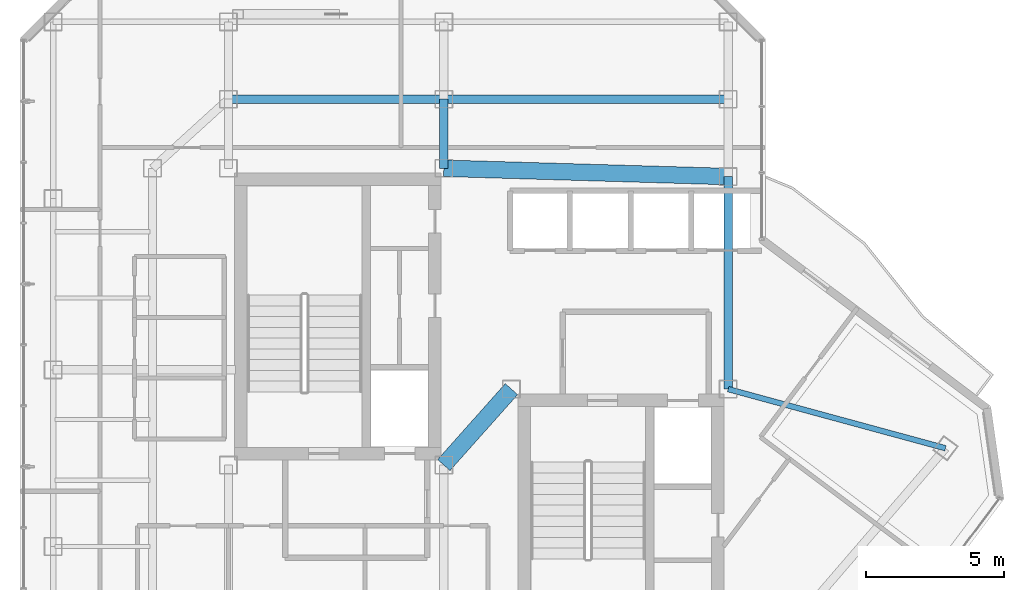
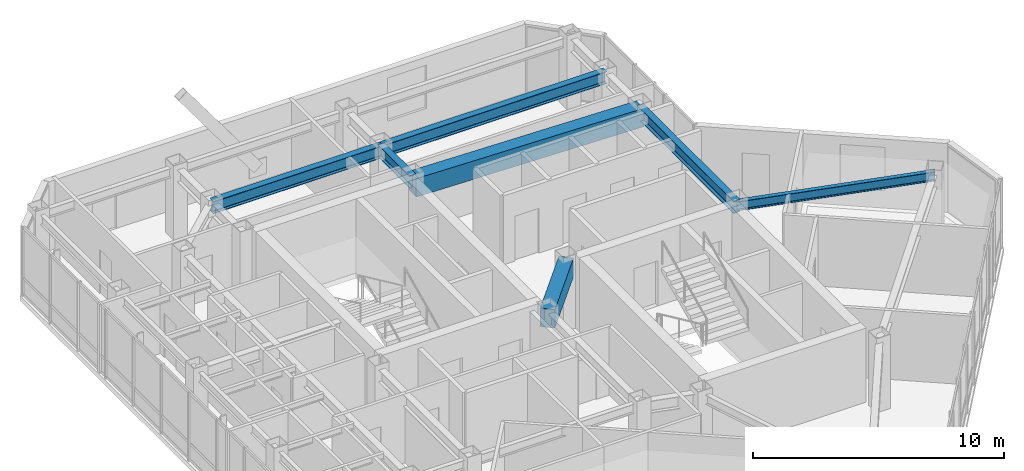
# One storey, part 11 of 22: 7 beams.
"""IFC4 building model written with IfcOpenShell, lengths in metres."""

from ifc_helpers import new_model, si_unit, direction, frame, origin, origin_2d, place, context, subcontext, project, spatial, rectangle, i_section, extrude, material, material_profile, profile_set, type_object, element, save


model = new_model("IFC4")

# Units and contexts
model_context = context("Model", 3, precision=1e-05, world=origin(), true_north=direction((0.0, 1.0)))
body_context = subcontext(model_context, "Body", "Model", "MODEL_VIEW")
ifc_project = project(units=[si_unit("LENGTHUNIT", "METRE"), si_unit("AREAUNIT", "SQUARE_METRE"), si_unit("VOLUMEUNIT", "CUBIC_METRE"), si_unit("PLANEANGLEUNIT", "RADIAN"), si_unit("MASSUNIT", "GRAM", prefix="KILO")], contexts=[model_context])

# Site, building, storey
site_placement = place(None, origin())
site = spatial("IfcSite", under=ifc_project, at=site_placement, CompositionType="ELEMENT")
building_placement = place(site_placement, origin())
building = spatial("IfcBuilding", under=site, at=building_placement, Name="Hatsunagi Terrace Concourse", CompositionType="ELEMENT")
storey_placement = place(building_placement, frame((0.0, 0.0, 243.14990234375)))
storey = spatial("IfcBuildingStorey", under=building, at=storey_placement, Name="L64", CompositionType="ELEMENT", Elevation=243.14990234375)

# Beams
ifc_material_1 = material(Name="Concrete Fc42", Category="concrete")
ifc_material_profile_1 = material_profile(ifc_material_1, rectangle(XDim=0.60009765625, YDim=0.89990234375, at=origin_2d()), Name="RC-600x900")
ifc_profile_set_1 = profile_set([ifc_material_profile_1], Name="Concrete Fc42")
beam_type_1 = type_object("IfcBeamType", Name="CoreCouplingBeam_RC_600x900", PredefinedType="BEAM", material=ifc_profile_set_1)
beam_1_placement = place(storey_placement, frame((33.35009765625, 32.550048828125, 2.900146484375), z_axis=(0.665198651008, 0.746666427997, 0.0), x_axis=(-0.746666427997, 0.665198651008, 0.0)))
element("IfcBeam", 1, at=beam_1_placement, inside=storey, type_object=beam_type_1, Name="Beam CB-03 CB-L64-1", PredefinedType="BEAM", context=body_context, shape_type="SweptSolid", body=[
    extrude(rectangle(XDim=0.60009765625, YDim=0.89990234375, at=origin_2d()), origin(), (0.0, 0.0, 1.0), 3.68310546875),
])
beam_2_placement = place(storey_placement, frame((33.35009765625, 43.300048828125, 2.900146484375), z_axis=(0.999575947545, -0.029119153303, 0.0), x_axis=(0.029119153303, 0.999575947545, 0.0)))
element("IfcBeam", 2, at=beam_2_placement, inside=storey, type_object=beam_type_1, Name="Beam CB-03 CB-L64-2", PredefinedType="BEAM", context=body_context, shape_type="SweptSolid", body=[
    extrude(rectangle(XDim=0.60009765625, YDim=0.89990234375, at=origin_2d()), origin(), (0.0, 0.0, 1.0), 10.30419921875),
])
ifc_material_2 = material(Name="Steel SN490B", Category="steel")
ifc_material_profile_2 = material_profile(ifc_material_2, i_section(OverallWidth=0.300048828125, OverallDepth=0.587890625, WebThickness=0.011962890625, FlangeThickness=0.02001953125, FilletRadius=0.01806640625, at=origin_2d()), Name="H-588x300x12x20")
ifc_profile_set_2 = profile_set([ifc_material_profile_2], Name="Steel SN490B")
beam_type_2 = type_object("IfcBeamType", Name="OfficeHighGirder_H_588x300", PredefinedType="BEAM", material=ifc_profile_set_2)
beam_3_placement = place(storey_placement, frame((43.64990234375, 35.300048828125, 3.05615234375), z_axis=(0.0, 1.0, 0.0), x_axis=(-1.0, 0.0, 0.0)))
element("IfcBeam", 3, at=beam_3_placement, inside=storey, type_object=beam_type_2, Name="Beam G-06 BM-L64-CBK3", PredefinedType="BEAM", context=body_context, shape_type="SweptSolid", body=[
    extrude(i_section(OverallWidth=0.300048828125, OverallDepth=0.587890625, WebThickness=0.011962890625, FlangeThickness=0.02001953125, FilletRadius=0.01806640625, at=origin_2d()), origin(), (0.0, 0.0, 1.0), 7.699951171875),
])
beam_4_placement = place(storey_placement, frame((33.35009765625, 43.300048828125, 3.05615234375), z_axis=(0.0, 1.0, 0.0), x_axis=(-1.0, 0.0, 0.0)))
element("IfcBeam", 4, at=beam_4_placement, inside=storey, type_object=beam_type_2, Name="Beam G-06 BM-L64-CN2", PredefinedType="BEAM", context=body_context, shape_type="SweptSolid", body=[
    extrude(i_section(OverallWidth=0.300048828125, OverallDepth=0.587890625, WebThickness=0.011962890625, FlangeThickness=0.02001953125, FilletRadius=0.01806640625, at=origin_2d()), origin(), (0.0, 0.0, 1.0), 2.5),
])
beam_5_placement = place(storey_placement, frame((25.550048828125, 45.800048828125, 3.05615234375), z_axis=(1.0, 0.0, 0.0), x_axis=(0.0, 1.0, 0.0)))
element("IfcBeam", 5, at=beam_5_placement, inside=storey, type_object=beam_type_2, Name="Beam G-06 BM-L64-CNEW1", PredefinedType="BEAM", context=body_context, shape_type="SweptSolid", body=[
    extrude(i_section(OverallWidth=0.300048828125, OverallDepth=0.587890625, WebThickness=0.011962890625, FlangeThickness=0.02001953125, FilletRadius=0.01806640625, at=origin_2d()), origin(), (0.0, 0.0, 1.0), 7.800048828125),
])
beam_6_placement = place(storey_placement, frame((33.35009765625, 45.800048828125, 3.05615234375), z_axis=(1.0, 0.0, 0.0), x_axis=(0.0, 1.0, 0.0)))
element("IfcBeam", 6, at=beam_6_placement, inside=storey, type_object=beam_type_2, Name="Beam G-06 BM-L64-CNEW2", PredefinedType="BEAM", context=body_context, shape_type="SweptSolid", body=[
    extrude(i_section(OverallWidth=0.300048828125, OverallDepth=0.587890625, WebThickness=0.011962890625, FlangeThickness=0.02001953125, FilletRadius=0.01806640625, at=origin_2d()), origin(), (0.0, 0.0, 1.0), 10.2998046875),
])
ifc_material_3 = material(Name="Steel SN490B", Category="steel")
ifc_material_profile_3 = material_profile(ifc_material_3, i_section(OverallWidth=0.199951171875, OverallDepth=0.449951171875, WebThickness=0.009033203125, FlangeThickness=0.013916015625, FilletRadius=0.01611328125, at=origin_2d()), Name="H-450x200x9x14")
ifc_profile_set_3 = profile_set([ifc_material_profile_3], Name="Steel SN490B")
beam_type_3 = type_object("IfcBeamType", Name="PerimeterSpandrel_H_450x200", PredefinedType="SPANDREL", material=ifc_profile_set_3)
beam_7_placement = place(storey_placement, frame((43.64990234375, 35.300048828125, 3.125), z_axis=(0.964958359286, -0.262403057994, 0.0), x_axis=(0.262403057994, 0.964958359286, 0.0)))
element("IfcBeam", 7, at=beam_7_placement, inside=storey, type_object=beam_type_3, Name="Beam SP-02 BM-L64-SE-NE0", PredefinedType="SPANDREL", context=body_context, shape_type="SweptSolid", body=[
    extrude(i_section(OverallWidth=0.199951171875, OverallDepth=0.449951171875, WebThickness=0.009033203125, FlangeThickness=0.013916015625, FilletRadius=0.01611328125, at=origin_2d()), origin(), (0.0, 0.0, 1.0), 8.156005859375),
])

save(model, "model.ifc")
